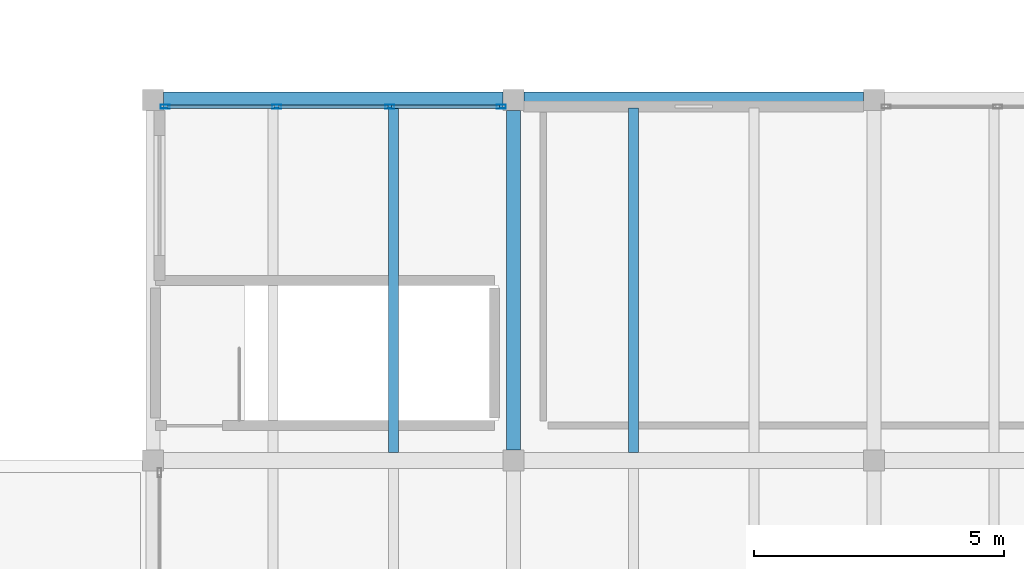
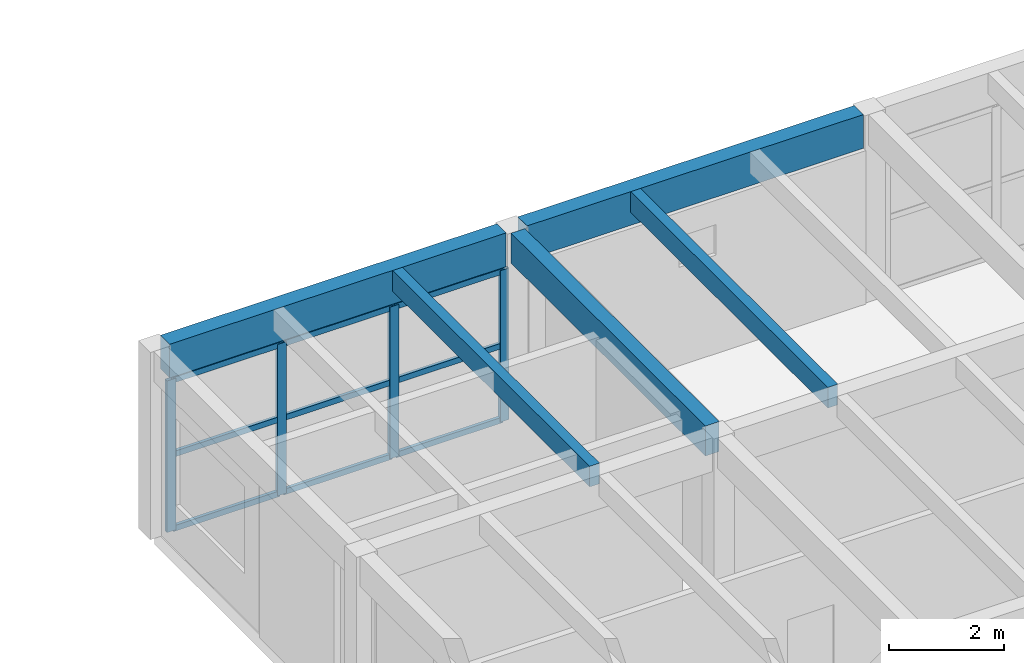
# One storey, part 24 of 68: 13 members, 5 beams, 1 element without a shape of its own.
"""IFC4 building model written with IfcOpenShell, lengths in metres."""

from ifc_helpers import new_model, si_unit, direction, frame, origin, origin_2d, place, context, subcontext, project, spatial, rectangle, hollow_rectangle, extrude, material, material_profile, profile_set, type_object, element, aggregate, save


model = new_model("IFC4")

# Units and contexts
model_context = context("Model", 3, precision=1e-05, world=origin(), true_north=direction((0.0, 1.0)))
body_context = subcontext(model_context, "Body", "Model", "MODEL_VIEW")
ifc_project = project(units=[si_unit("LENGTHUNIT", "METRE"), si_unit("AREAUNIT", "SQUARE_METRE"), si_unit("VOLUMEUNIT", "CUBIC_METRE"), si_unit("PLANEANGLEUNIT", "RADIAN"), si_unit("MASSUNIT", "GRAM", prefix="KILO")], contexts=[model_context])

# Site, building, storey
site_placement = place(None, origin())
site = spatial("IfcSite", under=ifc_project, at=site_placement, CompositionType="ELEMENT")
building_placement = place(site_placement, origin())
building = spatial("IfcBuilding", under=site, at=building_placement, Name="Bramvelor Terrace Health Centre", CompositionType="ELEMENT")
storey_placement = place(building_placement, frame((0.0, 0.0, 9.300048828125)))
storey = spatial("IfcBuildingStorey", under=building, at=storey_placement, Name="L03", CompositionType="ELEMENT", Elevation=9.300048828125)

# Beams
ifc_material_1 = material(Name="Glulam GL28h", Category="wood")
ifc_material_profile_1 = material_profile(ifc_material_1, rectangle(XDim=0.280029296875, YDim=0.639892578125, at=origin_2d()), Name="GL 280x640")
ifc_profile_set_1 = profile_set([ifc_material_profile_1], Name="Glulam GL28h")
beam_type_1 = type_object("IfcBeamType", Name="BM-GL-G640", PredefinedType="BEAM", material=ifc_profile_set_1)
beam_placement = place(storey_placement, frame((108.0, 57.81005859375, 3.669921875), z_axis=(0.0, 1.0, 0.0), x_axis=(-1.0, 0.0, 0.0)))
element("IfcBeam", 1, at=beam_placement, inside=storey, type_object=beam_type_1, Name="L03 Floor Girder", PredefinedType="BEAM", context=body_context, shape_type="SweptSolid", body=[
    extrude(rectangle(XDim=0.280029296875, YDim=0.639892578125, at=origin_2d()), origin(), (0.0, 0.0, 1.0), 6.780029296875),
])
ifc_material_2 = material(Name="Glulam GL28h", Category="wood")
ifc_material_profile_2 = material_profile(ifc_material_2, rectangle(XDim=0.320068359375, YDim=0.719970703125, at=origin_2d()), Name="GL 320x720")
ifc_profile_set_2 = profile_set([ifc_material_profile_2], Name="Glulam GL28h")
beam_type_2 = type_object("IfcBeamType", Name="BM-GL-G720", PredefinedType="BEAM", material=ifc_profile_set_2)
for number, where, z_axis, x_axis, name in (
    (2, (101.010009765625, 64.800048828125, 3.6298828125), (1.0, 0.0, 0.0), (0.0, 1.0, 0.0), "L03 Floor Girder"),
    (3, (108.2099609375, 64.800048828125, 3.6298828125), (1.0, 0.0, 0.0), (0.0, 1.0, 0.0), "L03 Floor Girder"),
):
    element("IfcBeam", number, at=place(storey_placement, frame(where, z_axis=z_axis, x_axis=x_axis)), inside=storey, type_object=beam_type_2, Name=name, PredefinedType="BEAM", context=body_context, shape_type="SweptSolid", body=[
        extrude(rectangle(XDim=0.320068359375, YDim=0.719970703125, at=origin_2d()), origin(), (0.0, 0.0, 1.0), 6.780029296875),
    ])
ifc_material_3 = material(Name="Glulam GL28h", Category="wood")
ifc_material_profile_3 = material_profile(ifc_material_3, rectangle(XDim=0.199951171875, YDim=0.43994140625, at=origin_2d()), Name="GL 200x440")
ifc_profile_set_3 = profile_set([ifc_material_profile_3], Name="Glulam GL28h")
beam_type_3 = type_object("IfcBeamType", Name="BM-GL-J440", PredefinedType="JOIST", material=ifc_profile_set_3)
for number, where, z_axis, x_axis, name in (
    (4, (105.60009765625, 57.760009765625, 3.77001953125), (0.0, 1.0, 0.0), (-1.0, 0.0, 0.0), "L03 Secondary Floor Joist"),
    (5, (110.39990234375, 57.760009765625, 3.77001953125), (0.0, 1.0, 0.0), (-1.0, 0.0, 0.0), "L03 Secondary Floor Joist"),
):
    element("IfcBeam", number, at=place(storey_placement, frame(where, z_axis=z_axis, x_axis=x_axis)), inside=storey, type_object=beam_type_3, Name=name, PredefinedType="JOIST", context=body_context, shape_type="SweptSolid", body=[
        extrude(rectangle(XDim=0.199951171875, YDim=0.43994140625, at=origin_2d()), origin(), (0.0, 0.0, 1.0), 6.8798828125),
    ])

# Curtain wall, members
ifc_material_4 = material(Name="Anodized aluminium and double low-E glass", Category="aluminium")
curtain_wall_type = type_object("IfcCurtainWallType", Name="CW-SYS-27", PredefinedType="NOTDEFINED", material=ifc_material_4)
curtain_wall_placement = place(storey_placement, origin())
curtain_wall = element("IfcCurtainWall", 6, at=curtain_wall_placement, inside=storey, type_object=curtain_wall_type, Name="L03 Unitized Curtain Wall 162", PredefinedType="NOTDEFINED")
ifc_material_5 = material(Name="Anodized aluminium 6063-T6", Category="aluminium")
ifc_material_profile_4 = material_profile(ifc_material_5, hollow_rectangle(XDim=0.074951171875, YDim=0.179931640625, WallThickness=0.00341796875, at=origin_2d()), Name="ALU-MUL 75x180x3.5")
ifc_profile_set_4 = profile_set([ifc_material_profile_4], Name="Anodized aluminium 6063-T6")
member_type_1 = type_object("IfcMemberType", Name="CW-MUL-65x180", PredefinedType="MULLION", material=ifc_profile_set_4)
member_1_placement = place(storey_placement, frame((101.04248046875, 64.669921875, 0.0), z_axis=(0.0, 0.0, 1.0), x_axis=(0.0, 1.0, 0.0)))
member_1 = element("IfcMember", 7, at=member_1_placement, type_object=member_type_1, Name="CW-27 mullion 1", PredefinedType="MULLION", context=body_context, shape_type="SweptSolid", body=[
    extrude(hollow_rectangle(XDim=0.074951171875, YDim=0.179931640625, WallThickness=0.00341796875, at=origin_2d()), origin(), (0.0, 0.0, 1.0), 3.22998046875),
])
member_2_placement = place(storey_placement, frame((103.268310546875, 64.669921875, 0.0), z_axis=(0.0, 0.0, 1.0), x_axis=(0.0, 1.0, 0.0)))
member_2 = element("IfcMember", 8, at=member_2_placement, type_object=member_type_1, Name="CW-27 mullion 2", PredefinedType="MULLION", context=body_context, shape_type="SweptSolid", body=[
    extrude(hollow_rectangle(XDim=0.074951171875, YDim=0.179931640625, WallThickness=0.00341796875, at=origin_2d()), origin(), (0.0, 0.0, 1.0), 3.22998046875),
])
member_3_placement = place(storey_placement, frame((105.53173828125, 64.669921875, 0.0), z_axis=(0.0, 0.0, 1.0), x_axis=(0.0, 1.0, 0.0)))
member_3 = element("IfcMember", 9, at=member_3_placement, type_object=member_type_1, Name="CW-27 mullion 3", PredefinedType="MULLION", context=body_context, shape_type="SweptSolid", body=[
    extrude(hollow_rectangle(XDim=0.074951171875, YDim=0.179931640625, WallThickness=0.00341796875, at=origin_2d()), origin(), (0.0, 0.0, 1.0), 3.22998046875),
])
member_4_placement = place(storey_placement, frame((107.757568359375, 64.669921875, 0.0), z_axis=(0.0, 0.0, 1.0), x_axis=(0.0, 1.0, 0.0)))
member_4 = element("IfcMember", 10, at=member_4_placement, type_object=member_type_1, Name="CW-27 mullion 4", PredefinedType="MULLION", context=body_context, shape_type="SweptSolid", body=[
    extrude(hollow_rectangle(XDim=0.074951171875, YDim=0.179931640625, WallThickness=0.00341796875, at=origin_2d()), origin(), (0.0, 0.0, 1.0), 3.22998046875),
])
ifc_material_6 = material(Name="Anodized aluminium 6063-T6", Category="aluminium")
ifc_material_profile_5 = material_profile(ifc_material_6, hollow_rectangle(XDim=0.06494140625, YDim=0.1201171875, WallThickness=0.0029296875, at=origin_2d()), Name="ALU-TRN 65x120x3.0")
ifc_profile_set_5 = profile_set([ifc_material_profile_5], Name="Anodized aluminium 6063-T6")
member_type_2 = type_object("IfcMemberType", Name="CW-TRN-65x150", PredefinedType="USERDEFINED", material=ifc_profile_set_5)
member_5_placement = place(storey_placement, frame((101.080078125, 64.669921875, 0.032470703125), z_axis=(1.0, 0.0, 0.0), x_axis=(0.0, 1.0, 0.0)))
member_5 = element("IfcMember", 11, at=member_5_placement, type_object=member_type_2, Name="CW-27 transom 1.1", ObjectType="TRANSOM", PredefinedType="USERDEFINED", context=body_context, shape_type="SweptSolid", body=[
    extrude(hollow_rectangle(XDim=0.06494140625, YDim=0.1201171875, WallThickness=0.0029296875, at=origin_2d()), origin(), (0.0, 0.0, 1.0), 2.150634765625),
])
member_6_placement = place(storey_placement, frame((101.080078125, 64.669921875, 1.614990234375), z_axis=(1.0, 0.0, 0.0), x_axis=(0.0, 1.0, 0.0)))
member_6 = element("IfcMember", 12, at=member_6_placement, type_object=member_type_2, Name="CW-27 transom 1.2", ObjectType="TRANSOM", PredefinedType="USERDEFINED", context=body_context, shape_type="SweptSolid", body=[
    extrude(hollow_rectangle(XDim=0.06494140625, YDim=0.1201171875, WallThickness=0.0029296875, at=origin_2d()), origin(), (0.0, 0.0, 1.0), 2.150634765625),
])
member_7_placement = place(storey_placement, frame((101.080078125, 64.669921875, 3.197509765625), z_axis=(1.0, 0.0, 0.0), x_axis=(0.0, 1.0, 0.0)))
member_7 = element("IfcMember", 13, at=member_7_placement, type_object=member_type_2, Name="CW-27 transom 1.3", ObjectType="TRANSOM", PredefinedType="USERDEFINED", context=body_context, shape_type="SweptSolid", body=[
    extrude(hollow_rectangle(XDim=0.06494140625, YDim=0.1201171875, WallThickness=0.0029296875, at=origin_2d()), origin(), (0.0, 0.0, 1.0), 2.150634765625),
])
member_8_placement = place(storey_placement, frame((103.305908203125, 64.669921875, 0.032470703125), z_axis=(1.0, 0.0, 0.0), x_axis=(0.0, 1.0, 0.0)))
member_8 = element("IfcMember", 14, at=member_8_placement, type_object=member_type_2, Name="CW-27 transom 2.1", ObjectType="TRANSOM", PredefinedType="USERDEFINED", context=body_context, shape_type="SweptSolid", body=[
    extrude(hollow_rectangle(XDim=0.06494140625, YDim=0.1201171875, WallThickness=0.0029296875, at=origin_2d()), origin(), (0.0, 0.0, 1.0), 2.188232421875),
])
member_9_placement = place(storey_placement, frame((103.305908203125, 64.669921875, 1.614990234375), z_axis=(1.0, 0.0, 0.0), x_axis=(0.0, 1.0, 0.0)))
member_9 = element("IfcMember", 15, at=member_9_placement, type_object=member_type_2, Name="CW-27 transom 2.2", ObjectType="TRANSOM", PredefinedType="USERDEFINED", context=body_context, shape_type="SweptSolid", body=[
    extrude(hollow_rectangle(XDim=0.06494140625, YDim=0.1201171875, WallThickness=0.0029296875, at=origin_2d()), origin(), (0.0, 0.0, 1.0), 2.188232421875),
])
member_10_placement = place(storey_placement, frame((103.305908203125, 64.669921875, 3.197509765625), z_axis=(1.0, 0.0, 0.0), x_axis=(0.0, 1.0, 0.0)))
member_10 = element("IfcMember", 16, at=member_10_placement, type_object=member_type_2, Name="CW-27 transom 2.3", ObjectType="TRANSOM", PredefinedType="USERDEFINED", context=body_context, shape_type="SweptSolid", body=[
    extrude(hollow_rectangle(XDim=0.06494140625, YDim=0.1201171875, WallThickness=0.0029296875, at=origin_2d()), origin(), (0.0, 0.0, 1.0), 2.188232421875),
])
member_11_placement = place(storey_placement, frame((105.569091796875, 64.669921875, 0.032470703125), z_axis=(1.0, 0.0, 0.0), x_axis=(0.0, 1.0, 0.0)))
member_11 = element("IfcMember", 17, at=member_11_placement, type_object=member_type_2, Name="CW-27 transom 3.1", ObjectType="TRANSOM", PredefinedType="USERDEFINED", context=body_context, shape_type="SweptSolid", body=[
    extrude(hollow_rectangle(XDim=0.06494140625, YDim=0.1201171875, WallThickness=0.0029296875, at=origin_2d()), origin(), (0.0, 0.0, 1.0), 2.15087890625),
])
member_12_placement = place(storey_placement, frame((105.569091796875, 64.669921875, 1.614990234375), z_axis=(1.0, 0.0, 0.0), x_axis=(0.0, 1.0, 0.0)))
member_12 = element("IfcMember", 18, at=member_12_placement, type_object=member_type_2, Name="CW-27 transom 3.2", ObjectType="TRANSOM", PredefinedType="USERDEFINED", context=body_context, shape_type="SweptSolid", body=[
    extrude(hollow_rectangle(XDim=0.06494140625, YDim=0.1201171875, WallThickness=0.0029296875, at=origin_2d()), origin(), (0.0, 0.0, 1.0), 2.15087890625),
])
member_13_placement = place(storey_placement, frame((105.569091796875, 64.669921875, 3.197509765625), z_axis=(1.0, 0.0, 0.0), x_axis=(0.0, 1.0, 0.0)))
member_13 = element("IfcMember", 19, at=member_13_placement, type_object=member_type_2, Name="CW-27 transom 3.3", ObjectType="TRANSOM", PredefinedType="USERDEFINED", context=body_context, shape_type="SweptSolid", body=[
    extrude(hollow_rectangle(XDim=0.06494140625, YDim=0.1201171875, WallThickness=0.0029296875, at=origin_2d()), origin(), (0.0, 0.0, 1.0), 2.15087890625),
])
aggregate(curtain_wall, [member_1, member_2, member_3, member_4, member_5, member_6, member_7, member_8, member_9, member_10, member_11, member_12, member_13])

save(model, "model.ifc")
